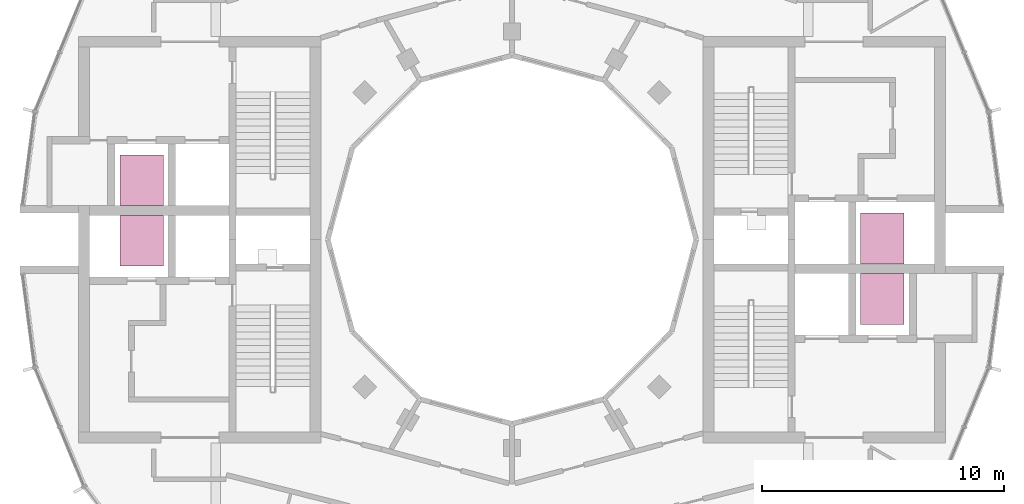
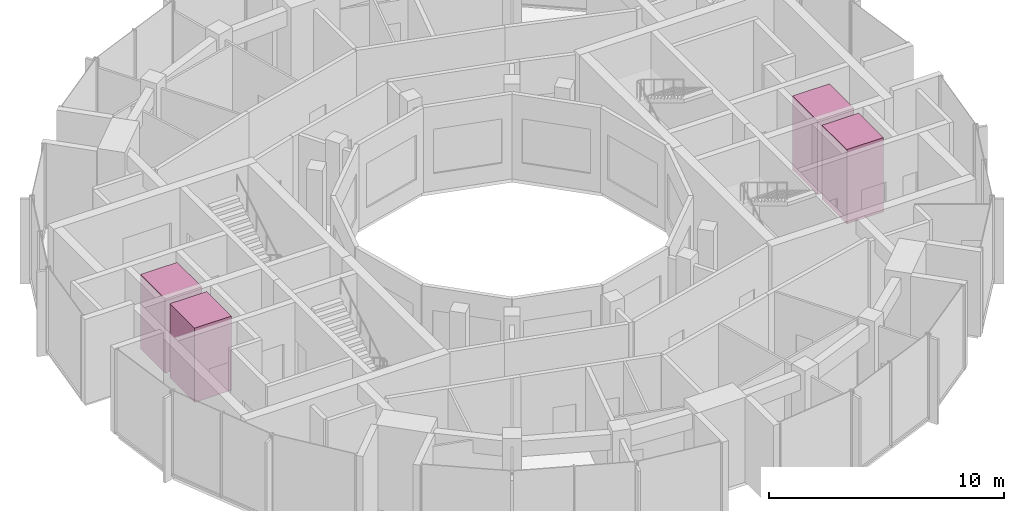
# One storey, part 13 of 13: 4 transport elements.
"""IFC4 building model written with IfcOpenShell, lengths in metres."""

from ifc_helpers import new_model, si_unit, direction, frame, origin, origin_2d, place, context, subcontext, project, spatial, rectangle, extrude, material, type_object, element, save


model = new_model("IFC4")

# Units and contexts
model_context = context("Model", 3, precision=1e-05, world=origin(), true_north=direction((0.0, 1.0)))
body_context = subcontext(model_context, "Body", "Model", "MODEL_VIEW")
ifc_project = project(units=[si_unit("LENGTHUNIT", "METRE"), si_unit("AREAUNIT", "SQUARE_METRE"), si_unit("VOLUMEUNIT", "CUBIC_METRE"), si_unit("PLANEANGLEUNIT", "RADIAN"), si_unit("MASSUNIT", "GRAM", prefix="KILO")], contexts=[model_context])

# Site, building, storey
site_placement = place(None, origin())
site = spatial("IfcSite", under=ifc_project, at=site_placement, CompositionType="ELEMENT")
building_placement = place(site_placement, origin())
building = spatial("IfcBuilding", under=site, at=building_placement, Name="Torre Brocal", CompositionType="ELEMENT")
storey_placement = place(building_placement, frame((0.0, 0.0, 319.300048828125)))
storey = spatial("IfcBuildingStorey", under=building, at=storey_placement, Name="L73", CompositionType="ELEMENT", Elevation=319.300048828125)

# Transport elements
ifc_material = material(Name="Stainless steel AISI 316", Category="steel")
transport_element_type = type_object("IfcTransportElementType", Name="PASSENGER LIFT", PredefinedType="ELEVATOR", material=ifc_material)
for number, where, z_axis, x_axis, name in (
    (1, (95.300048828125, 75.050048828125, 0.0), (0.0, 0.0, 1.0), (1.0, 0.0, 0.0), "HIGH RISE LIFT E-HR1"),
    (2, (95.300048828125, 72.550048828125, 0.0), (0.0, 0.0, 1.0), (1.0, 0.0, 0.0), "HIGH RISE LIFT E-HR2"),
    (3, (64.699951171875, 74.949951171875, 0.0), (0.0, 0.0, 1.0), (1.0, 0.0, 0.0), "HIGH RISE LIFT W-HR1"),
    (4, (64.699951171875, 77.449951171875, 0.0), (0.0, 0.0, 1.0), (1.0, 0.0, 0.0), "HIGH RISE LIFT W-HR2"),
):
    element("IfcTransportElement", number, at=place(storey_placement, frame(where, z_axis=z_axis, x_axis=x_axis)), inside=storey, type_object=transport_element_type, Name=name, PredefinedType="ELEVATOR", context=body_context, shape_type="SweptSolid", body=[
        extrude(rectangle(XDim=1.800048828125, YDim=2.10009765625, at=origin_2d()), origin(), (0.0, 0.0, 1.0), 3.85009765625),
    ])

save(model, "model.ifc")
